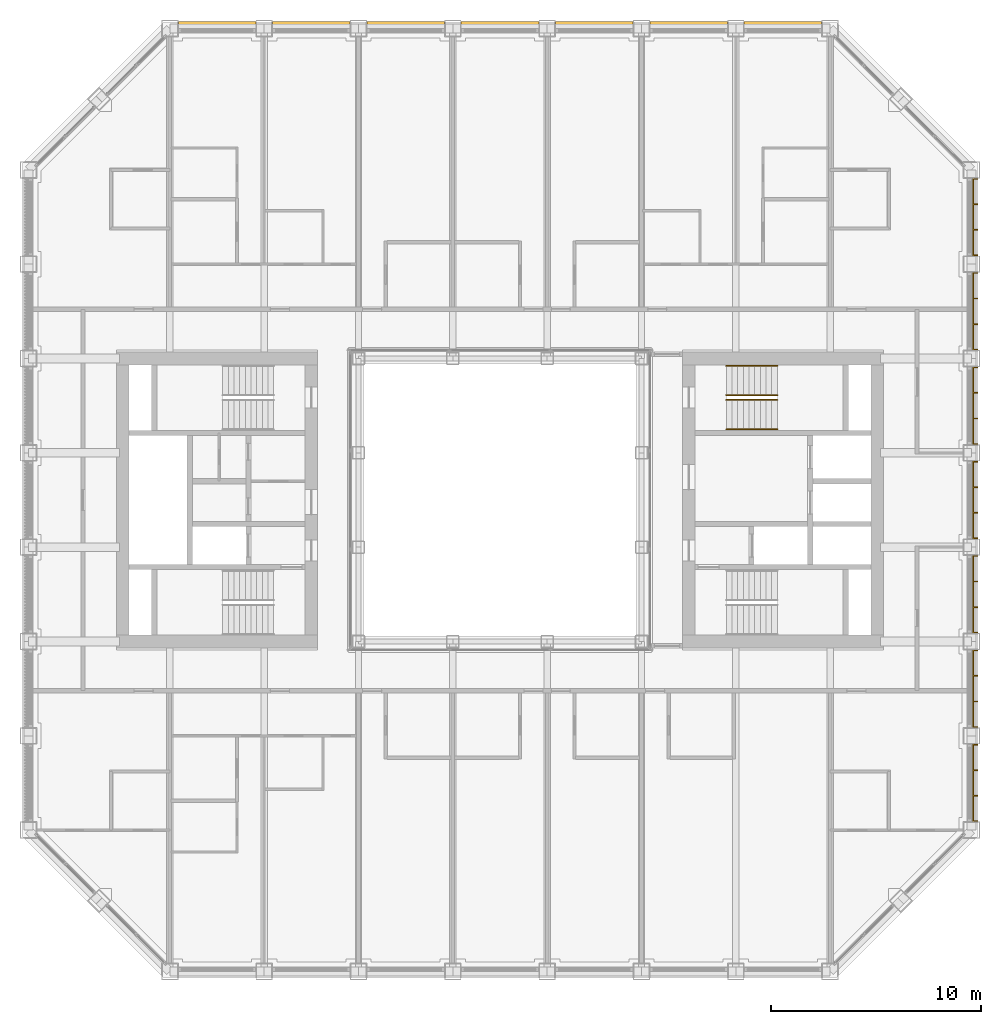
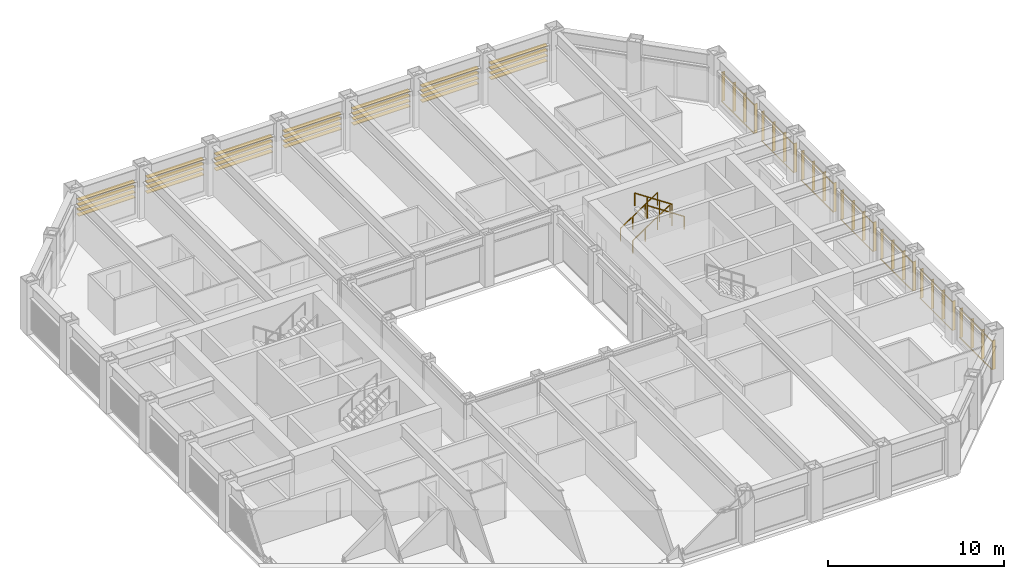
# One storey, part 18 of 18: 4 railings, 2 shading devices.
"""IFC4 building model written with IfcOpenShell, lengths in metres."""

from ifc_helpers import new_model, si_unit, direction, frame, origin, origin_2d, place, context, subcontext, project, spatial, rectangle, circle, extrude, material, type_object, element, save


model = new_model("IFC4")

# Units and contexts
model_context = context("Model", 3, precision=1e-05, world=origin(), true_north=direction((0.0, 1.0)))
body_context = subcontext(model_context, "Body", "Model", "MODEL_VIEW")
ifc_project = project(units=[si_unit("LENGTHUNIT", "METRE"), si_unit("AREAUNIT", "SQUARE_METRE"), si_unit("VOLUMEUNIT", "CUBIC_METRE"), si_unit("PLANEANGLEUNIT", "RADIAN"), si_unit("MASSUNIT", "GRAM", prefix="KILO")], contexts=[model_context])

# Site, building, storey
site_placement = place(None, origin())
site = spatial("IfcSite", under=ifc_project, at=site_placement, CompositionType="ELEMENT")
building_placement = place(site_placement, origin())
building = spatial("IfcBuilding", under=site, at=building_placement, Name="Msasa Ring Tower", CompositionType="ELEMENT")
storey_placement = place(building_placement, frame((0.0, 0.0, 183.199951171875)))
storey = spatial("IfcBuildingStorey", under=building, at=storey_placement, Name="L48", CompositionType="ELEMENT", Elevation=183.199951171875)

# Shading device
ifc_material_1 = material(Name="Extruded terracotta on aluminium carriers", Category="masonry")
shading_device_type_1 = type_object("IfcShadingDeviceType", Name="BS2 TERRACOTTA FIN SCREEN 40x200 AT 1350", PredefinedType="USERDEFINED", material=ifc_material_1)
shading_device_1_placement = place(storey_placement, origin())
element("IfcShadingDevice", 1, at=shading_device_1_placement, inside=storey, type_object=shading_device_type_1, Name="Terracotta fin screen E L48", ObjectType="BAGUETTE", PredefinedType="USERDEFINED", context=body_context, shape_type="SweptSolid", body=[
    extrude(rectangle(XDim=0.06005859375, YDim=0.0400390625, at=origin_2d()), frame((22.580078125, -15.35009765625, 0.330078125), z_axis=(0.0, 1.0, 0.0), x_axis=(0.0, 0.0, 1.0)), (0.0, 0.0, 1.0), 3.699951171875),
    extrude(rectangle(XDim=0.06005859375, YDim=0.0400390625, at=origin_2d()), frame((22.580078125, -15.35009765625, 2.299072265625), z_axis=(0.0, 1.0, 0.0), x_axis=(0.0, 0.0, 1.0)), (0.0, 0.0, 1.0), 3.699951171875),
    extrude(rectangle(XDim=0.0400390625, YDim=0.199951171875, at=origin_2d()), frame((22.695068359375, -15.330078125, 0.300048828125), z_axis=(0.0, 0.0, 1.0), x_axis=(0.0, 1.0, 0.0)), (0.0, 0.0, 1.0), 2.029052734375),
    extrude(rectangle(XDim=0.0400390625, YDim=0.199951171875, at=origin_2d()), frame((22.695068359375, -14.110107421875, 0.300048828125), z_axis=(0.0, 0.0, 1.0), x_axis=(0.0, 1.0, 0.0)), (0.0, 0.0, 1.0), 2.029052734375),
    extrude(rectangle(XDim=0.0400390625, YDim=0.199951171875, at=origin_2d()), frame((22.695068359375, -12.889892578125, 0.300048828125), z_axis=(0.0, 0.0, 1.0), x_axis=(0.0, 1.0, 0.0)), (0.0, 0.0, 1.0), 2.029052734375),
    extrude(rectangle(XDim=0.0400390625, YDim=0.199951171875, at=origin_2d()), frame((22.695068359375, -11.669921875, 0.300048828125), z_axis=(0.0, 0.0, 1.0), x_axis=(0.0, 1.0, 0.0)), (0.0, 0.0, 1.0), 2.029052734375),
    extrude(rectangle(XDim=0.06005859375, YDim=0.0400390625, at=origin_2d()), frame((22.580078125, -10.85009765625, 0.330078125), z_axis=(0.0, 1.0, 0.0), x_axis=(0.0, 0.0, 1.0)), (0.0, 0.0, 1.0), 3.699951171875),
    extrude(rectangle(XDim=0.06005859375, YDim=0.0400390625, at=origin_2d()), frame((22.580078125, -10.85009765625, 2.299072265625), z_axis=(0.0, 1.0, 0.0), x_axis=(0.0, 0.0, 1.0)), (0.0, 0.0, 1.0), 3.699951171875),
    extrude(rectangle(XDim=0.0400390625, YDim=0.199951171875, at=origin_2d()), frame((22.695068359375, -10.830078125, 0.300048828125), z_axis=(0.0, 0.0, 1.0), x_axis=(0.0, 1.0, 0.0)), (0.0, 0.0, 1.0), 2.029052734375),
    extrude(rectangle(XDim=0.0400390625, YDim=0.199951171875, at=origin_2d()), frame((22.695068359375, -9.610107421875, 0.300048828125), z_axis=(0.0, 0.0, 1.0), x_axis=(0.0, 1.0, 0.0)), (0.0, 0.0, 1.0), 2.029052734375),
    extrude(rectangle(XDim=0.0400390625, YDim=0.199951171875, at=origin_2d()), frame((22.695068359375, -8.389892578125, 0.300048828125), z_axis=(0.0, 0.0, 1.0), x_axis=(0.0, 1.0, 0.0)), (0.0, 0.0, 1.0), 2.029052734375),
    extrude(rectangle(XDim=0.0400390625, YDim=0.199951171875, at=origin_2d()), frame((22.695068359375, -7.169921875, 0.300048828125), z_axis=(0.0, 0.0, 1.0), x_axis=(0.0, 1.0, 0.0)), (0.0, 0.0, 1.0), 2.029052734375),
    extrude(rectangle(XDim=0.06005859375, YDim=0.0400390625, at=origin_2d()), frame((22.580078125, -6.35009765625, 0.330078125), z_axis=(0.0, 1.0, 0.0), x_axis=(0.0, 0.0, 1.0)), (0.0, 0.0, 1.0), 3.699951171875),
    extrude(rectangle(XDim=0.06005859375, YDim=0.0400390625, at=origin_2d()), frame((22.580078125, -6.35009765625, 2.299072265625), z_axis=(0.0, 1.0, 0.0), x_axis=(0.0, 0.0, 1.0)), (0.0, 0.0, 1.0), 3.699951171875),
    extrude(rectangle(XDim=0.0400390625, YDim=0.199951171875, at=origin_2d()), frame((22.695068359375, -6.330078125, 0.300048828125), z_axis=(0.0, 0.0, 1.0), x_axis=(0.0, 1.0, 0.0)), (0.0, 0.0, 1.0), 2.029052734375),
    extrude(rectangle(XDim=0.0400390625, YDim=0.199951171875, at=origin_2d()), frame((22.695068359375, -5.110107421875, 0.300048828125), z_axis=(0.0, 0.0, 1.0), x_axis=(0.0, 1.0, 0.0)), (0.0, 0.0, 1.0), 2.029052734375),
    extrude(rectangle(XDim=0.0400390625, YDim=0.199951171875, at=origin_2d()), frame((22.695068359375, -3.889892578125, 0.300048828125), z_axis=(0.0, 0.0, 1.0), x_axis=(0.0, 1.0, 0.0)), (0.0, 0.0, 1.0), 2.029052734375),
    extrude(rectangle(XDim=0.0400390625, YDim=0.199951171875, at=origin_2d()), frame((22.695068359375, -2.669921875, 0.300048828125), z_axis=(0.0, 0.0, 1.0), x_axis=(0.0, 1.0, 0.0)), (0.0, 0.0, 1.0), 2.029052734375),
    extrude(rectangle(XDim=0.06005859375, YDim=0.0400390625, at=origin_2d()), frame((22.580078125, -1.85009765625, 0.330078125), z_axis=(0.0, 1.0, 0.0), x_axis=(0.0, 0.0, 1.0)), (0.0, 0.0, 1.0), 3.699951171875),
    extrude(rectangle(XDim=0.06005859375, YDim=0.0400390625, at=origin_2d()), frame((22.580078125, -1.85009765625, 2.299072265625), z_axis=(0.0, 1.0, 0.0), x_axis=(0.0, 0.0, 1.0)), (0.0, 0.0, 1.0), 3.699951171875),
    extrude(rectangle(XDim=0.0400390625, YDim=0.199951171875, at=origin_2d()), frame((22.695068359375, -1.830078125, 0.300048828125), z_axis=(0.0, 0.0, 1.0), x_axis=(0.0, 1.0, 0.0)), (0.0, 0.0, 1.0), 2.029052734375),
    extrude(rectangle(XDim=0.0400390625, YDim=0.199951171875, at=origin_2d()), frame((22.695068359375, -0.610107421875, 0.300048828125), z_axis=(0.0, 0.0, 1.0), x_axis=(0.0, 1.0, 0.0)), (0.0, 0.0, 1.0), 2.029052734375),
    extrude(rectangle(XDim=0.0400390625, YDim=0.199951171875, at=origin_2d()), frame((22.695068359375, 0.610107421875, 0.300048828125), z_axis=(0.0, 0.0, 1.0), x_axis=(0.0, 1.0, 0.0)), (0.0, 0.0, 1.0), 2.029052734375),
    extrude(rectangle(XDim=0.0400390625, YDim=0.199951171875, at=origin_2d()), frame((22.695068359375, 1.830078125, 0.300048828125), z_axis=(0.0, 0.0, 1.0), x_axis=(0.0, 1.0, 0.0)), (0.0, 0.0, 1.0), 2.029052734375),
    extrude(rectangle(XDim=0.06005859375, YDim=0.0400390625, at=origin_2d()), frame((22.580078125, 2.64990234375, 0.330078125), z_axis=(0.0, 1.0, 0.0), x_axis=(0.0, 0.0, 1.0)), (0.0, 0.0, 1.0), 3.699951171875),
    extrude(rectangle(XDim=0.06005859375, YDim=0.0400390625, at=origin_2d()), frame((22.580078125, 2.64990234375, 2.299072265625), z_axis=(0.0, 1.0, 0.0), x_axis=(0.0, 0.0, 1.0)), (0.0, 0.0, 1.0), 3.699951171875),
    extrude(rectangle(XDim=0.0400390625, YDim=0.199951171875, at=origin_2d()), frame((22.695068359375, 2.669921875, 0.300048828125), z_axis=(0.0, 0.0, 1.0), x_axis=(0.0, 1.0, 0.0)), (0.0, 0.0, 1.0), 2.029052734375),
    extrude(rectangle(XDim=0.0400390625, YDim=0.199951171875, at=origin_2d()), frame((22.695068359375, 3.889892578125, 0.300048828125), z_axis=(0.0, 0.0, 1.0), x_axis=(0.0, 1.0, 0.0)), (0.0, 0.0, 1.0), 2.029052734375),
    extrude(rectangle(XDim=0.0400390625, YDim=0.199951171875, at=origin_2d()), frame((22.695068359375, 5.110107421875, 0.300048828125), z_axis=(0.0, 0.0, 1.0), x_axis=(0.0, 1.0, 0.0)), (0.0, 0.0, 1.0), 2.029052734375),
    extrude(rectangle(XDim=0.0400390625, YDim=0.199951171875, at=origin_2d()), frame((22.695068359375, 6.330078125, 0.300048828125), z_axis=(0.0, 0.0, 1.0), x_axis=(0.0, 1.0, 0.0)), (0.0, 0.0, 1.0), 2.029052734375),
    extrude(rectangle(XDim=0.06005859375, YDim=0.0400390625, at=origin_2d()), frame((22.580078125, 7.14990234375, 0.330078125), z_axis=(0.0, 1.0, 0.0), x_axis=(0.0, 0.0, 1.0)), (0.0, 0.0, 1.0), 3.699951171875),
    extrude(rectangle(XDim=0.06005859375, YDim=0.0400390625, at=origin_2d()), frame((22.580078125, 7.14990234375, 2.299072265625), z_axis=(0.0, 1.0, 0.0), x_axis=(0.0, 0.0, 1.0)), (0.0, 0.0, 1.0), 3.699951171875),
    extrude(rectangle(XDim=0.0400390625, YDim=0.199951171875, at=origin_2d()), frame((22.695068359375, 7.169921875, 0.300048828125), z_axis=(0.0, 0.0, 1.0), x_axis=(0.0, 1.0, 0.0)), (0.0, 0.0, 1.0), 2.029052734375),
    extrude(rectangle(XDim=0.0400390625, YDim=0.199951171875, at=origin_2d()), frame((22.695068359375, 8.389892578125, 0.300048828125), z_axis=(0.0, 0.0, 1.0), x_axis=(0.0, 1.0, 0.0)), (0.0, 0.0, 1.0), 2.029052734375),
    extrude(rectangle(XDim=0.0400390625, YDim=0.199951171875, at=origin_2d()), frame((22.695068359375, 9.610107421875, 0.300048828125), z_axis=(0.0, 0.0, 1.0), x_axis=(0.0, 1.0, 0.0)), (0.0, 0.0, 1.0), 2.029052734375),
    extrude(rectangle(XDim=0.0400390625, YDim=0.199951171875, at=origin_2d()), frame((22.695068359375, 10.830078125, 0.300048828125), z_axis=(0.0, 0.0, 1.0), x_axis=(0.0, 1.0, 0.0)), (0.0, 0.0, 1.0), 2.029052734375),
    extrude(rectangle(XDim=0.06005859375, YDim=0.0400390625, at=origin_2d()), frame((22.580078125, 11.64990234375, 0.330078125), z_axis=(0.0, 1.0, 0.0), x_axis=(0.0, 0.0, 1.0)), (0.0, 0.0, 1.0), 3.699951171875),
    extrude(rectangle(XDim=0.06005859375, YDim=0.0400390625, at=origin_2d()), frame((22.580078125, 11.64990234375, 2.299072265625), z_axis=(0.0, 1.0, 0.0), x_axis=(0.0, 0.0, 1.0)), (0.0, 0.0, 1.0), 3.699951171875),
    extrude(rectangle(XDim=0.0400390625, YDim=0.199951171875, at=origin_2d()), frame((22.695068359375, 11.669921875, 0.300048828125), z_axis=(0.0, 0.0, 1.0), x_axis=(0.0, 1.0, 0.0)), (0.0, 0.0, 1.0), 2.029052734375),
    extrude(rectangle(XDim=0.0400390625, YDim=0.199951171875, at=origin_2d()), frame((22.695068359375, 12.889892578125, 0.300048828125), z_axis=(0.0, 0.0, 1.0), x_axis=(0.0, 1.0, 0.0)), (0.0, 0.0, 1.0), 2.029052734375),
    extrude(rectangle(XDim=0.0400390625, YDim=0.199951171875, at=origin_2d()), frame((22.695068359375, 14.110107421875, 0.300048828125), z_axis=(0.0, 0.0, 1.0), x_axis=(0.0, 1.0, 0.0)), (0.0, 0.0, 1.0), 2.029052734375),
    extrude(rectangle(XDim=0.0400390625, YDim=0.199951171875, at=origin_2d()), frame((22.695068359375, 15.330078125, 0.300048828125), z_axis=(0.0, 0.0, 1.0), x_axis=(0.0, 1.0, 0.0)), (0.0, 0.0, 1.0), 2.029052734375),
])

# Railings
ifc_material_2 = material(Name="Stainless steel", Category="steel")
railing_type = type_object("IfcRailingType", Name="HR1 HANDRAIL 900", PredefinedType="HANDRAIL", material=ifc_material_2)
for number, where, name in (
    (2, (10.800048828125, 5.0, 0.179931640625), "Handrail stair SEB L48 1"),
    (3, (10.800048828125, 6.39990234375, 0.179931640625), "Handrail stair SEB L48 2"),
):
    element("IfcRailing", number, at=place(storey_placement, frame(where)), inside=storey, type_object=railing_type, Name=name, PredefinedType="HANDRAIL", context=body_context, shape_type="SweptSolid", body=[
        extrude(circle(Radius=0.02392578125, at=origin_2d()), frame((0.0, 0.0, 0.8759765625), z_axis=(0.832024571796, 0.0, 0.554738778101), x_axis=(0.0, 1.0, 0.0)), (0.0, 0.0, 1.0), 2.92041015625),
        extrude(circle(Radius=0.02099609375, at=origin_2d()), origin(), (0.0, 0.0, 1.0), 0.851806640625),
        extrude(circle(Radius=0.02099609375, at=origin_2d()), frame((0.81005859375, 0.0, 0.5400390625)), (0.0, 0.0, 1.0), 0.851806640625),
        extrude(circle(Radius=0.02099609375, at=origin_2d()), frame((1.619873046875, 0.0, 1.080078125)), (0.0, 0.0, 1.0), 0.851806640625),
        extrude(circle(Radius=0.02099609375, at=origin_2d()), frame((2.429931640625, 0.0, 1.6201171875)), (0.0, 0.0, 1.0), 0.851806640625),
    ])
for number, where, name in (
    (4, (13.22998046875, 3.375, 1.97998046875), "Handrail stair SEB L48 3"),
    (5, (13.22998046875, 4.77490234375, 1.97998046875), "Handrail stair SEB L48 4"),
):
    element("IfcRailing", number, at=place(storey_placement, frame(where)), inside=storey, type_object=railing_type, Name=name, PredefinedType="HANDRAIL", context=body_context, shape_type="SweptSolid", body=[
        extrude(circle(Radius=0.02392578125, at=origin_2d()), frame((0.0, 0.0, 0.8759765625), z_axis=(-0.832024571796, 0.0, 0.554738778101), x_axis=(0.0, -1.0, 0.0)), (0.0, 0.0, 1.0), 2.92041015625),
        extrude(circle(Radius=0.02099609375, at=origin_2d()), origin(), (0.0, 0.0, 1.0), 0.851806640625),
        extrude(circle(Radius=0.02099609375, at=origin_2d()), frame((-0.81005859375, 0.0, 0.5400390625)), (0.0, 0.0, 1.0), 0.851806640625),
        extrude(circle(Radius=0.02099609375, at=origin_2d()), frame((-1.619873046875, 0.0, 1.080078125)), (0.0, 0.0, 1.0), 0.851806640625),
        extrude(circle(Radius=0.02099609375, at=origin_2d()), frame((-2.429931640625, 0.0, 1.6201171875)), (0.0, 0.0, 1.0), 0.851806640625),
    ])

# Shading device
ifc_material_3 = material(Name="Extruded terracotta blades", Category="masonry")
shading_device_type_2 = type_object("IfcShadingDeviceType", Name="SS1 TERRACOTTA SUNSHADE 4 BLADES 300x40 AT 350", PredefinedType="USERDEFINED", material=ifc_material_3)
shading_device_2_placement = place(storey_placement, origin())
element("IfcShadingDevice", 6, at=shading_device_2_placement, inside=storey, type_object=shading_device_type_2, Name="Terracotta sunshade N L48", ObjectType="SUNSHADE", PredefinedType="USERDEFINED", context=body_context, shape_type="SweptSolid", body=[
    extrude(rectangle(XDim=0.0400390625, YDim=0.300048828125, at=origin_2d()), frame((-15.35009765625, 22.679931640625, 2.30908203125), z_axis=(1.0, 0.0, 0.0), x_axis=(0.0, 0.0, 1.0)), (0.0, 0.0, 1.0), 3.699951171875),
    extrude(rectangle(XDim=0.0400390625, YDim=0.300048828125, at=origin_2d()), frame((-15.35009765625, 22.679931640625, 1.958984375), z_axis=(1.0, 0.0, 0.0), x_axis=(0.0, 0.0, 1.0)), (0.0, 0.0, 1.0), 3.699951171875),
    extrude(rectangle(XDim=0.0400390625, YDim=0.300048828125, at=origin_2d()), frame((-15.35009765625, 22.679931640625, 1.609130859375), z_axis=(1.0, 0.0, 0.0), x_axis=(0.0, 0.0, 1.0)), (0.0, 0.0, 1.0), 3.699951171875),
    extrude(rectangle(XDim=0.0400390625, YDim=0.300048828125, at=origin_2d()), frame((-15.35009765625, 22.679931640625, 1.259033203125), z_axis=(1.0, 0.0, 0.0), x_axis=(0.0, 0.0, 1.0)), (0.0, 0.0, 1.0), 3.699951171875),
    extrude(rectangle(XDim=0.0400390625, YDim=0.300048828125, at=origin_2d()), frame((-10.85009765625, 22.679931640625, 2.30908203125), z_axis=(1.0, 0.0, 0.0), x_axis=(0.0, 0.0, 1.0)), (0.0, 0.0, 1.0), 3.699951171875),
    extrude(rectangle(XDim=0.0400390625, YDim=0.300048828125, at=origin_2d()), frame((-10.85009765625, 22.679931640625, 1.958984375), z_axis=(1.0, 0.0, 0.0), x_axis=(0.0, 0.0, 1.0)), (0.0, 0.0, 1.0), 3.699951171875),
    extrude(rectangle(XDim=0.0400390625, YDim=0.300048828125, at=origin_2d()), frame((-10.85009765625, 22.679931640625, 1.609130859375), z_axis=(1.0, 0.0, 0.0), x_axis=(0.0, 0.0, 1.0)), (0.0, 0.0, 1.0), 3.699951171875),
    extrude(rectangle(XDim=0.0400390625, YDim=0.300048828125, at=origin_2d()), frame((-10.85009765625, 22.679931640625, 1.259033203125), z_axis=(1.0, 0.0, 0.0), x_axis=(0.0, 0.0, 1.0)), (0.0, 0.0, 1.0), 3.699951171875),
    extrude(rectangle(XDim=0.0400390625, YDim=0.300048828125, at=origin_2d()), frame((-6.35009765625, 22.679931640625, 2.30908203125), z_axis=(1.0, 0.0, 0.0), x_axis=(0.0, 0.0, 1.0)), (0.0, 0.0, 1.0), 3.699951171875),
    extrude(rectangle(XDim=0.0400390625, YDim=0.300048828125, at=origin_2d()), frame((-6.35009765625, 22.679931640625, 1.958984375), z_axis=(1.0, 0.0, 0.0), x_axis=(0.0, 0.0, 1.0)), (0.0, 0.0, 1.0), 3.699951171875),
    extrude(rectangle(XDim=0.0400390625, YDim=0.300048828125, at=origin_2d()), frame((-6.35009765625, 22.679931640625, 1.609130859375), z_axis=(1.0, 0.0, 0.0), x_axis=(0.0, 0.0, 1.0)), (0.0, 0.0, 1.0), 3.699951171875),
    extrude(rectangle(XDim=0.0400390625, YDim=0.300048828125, at=origin_2d()), frame((-6.35009765625, 22.679931640625, 1.259033203125), z_axis=(1.0, 0.0, 0.0), x_axis=(0.0, 0.0, 1.0)), (0.0, 0.0, 1.0), 3.699951171875),
    extrude(rectangle(XDim=0.0400390625, YDim=0.300048828125, at=origin_2d()), frame((-1.85009765625, 22.679931640625, 2.30908203125), z_axis=(1.0, 0.0, 0.0), x_axis=(0.0, 0.0, 1.0)), (0.0, 0.0, 1.0), 3.699951171875),
    extrude(rectangle(XDim=0.0400390625, YDim=0.300048828125, at=origin_2d()), frame((-1.85009765625, 22.679931640625, 1.958984375), z_axis=(1.0, 0.0, 0.0), x_axis=(0.0, 0.0, 1.0)), (0.0, 0.0, 1.0), 3.699951171875),
    extrude(rectangle(XDim=0.0400390625, YDim=0.300048828125, at=origin_2d()), frame((-1.85009765625, 22.679931640625, 1.609130859375), z_axis=(1.0, 0.0, 0.0), x_axis=(0.0, 0.0, 1.0)), (0.0, 0.0, 1.0), 3.699951171875),
    extrude(rectangle(XDim=0.0400390625, YDim=0.300048828125, at=origin_2d()), frame((-1.85009765625, 22.679931640625, 1.259033203125), z_axis=(1.0, 0.0, 0.0), x_axis=(0.0, 0.0, 1.0)), (0.0, 0.0, 1.0), 3.699951171875),
    extrude(rectangle(XDim=0.0400390625, YDim=0.300048828125, at=origin_2d()), frame((2.64990234375, 22.679931640625, 2.30908203125), z_axis=(1.0, 0.0, 0.0), x_axis=(0.0, 0.0, 1.0)), (0.0, 0.0, 1.0), 3.699951171875),
    extrude(rectangle(XDim=0.0400390625, YDim=0.300048828125, at=origin_2d()), frame((2.64990234375, 22.679931640625, 1.958984375), z_axis=(1.0, 0.0, 0.0), x_axis=(0.0, 0.0, 1.0)), (0.0, 0.0, 1.0), 3.699951171875),
    extrude(rectangle(XDim=0.0400390625, YDim=0.300048828125, at=origin_2d()), frame((2.64990234375, 22.679931640625, 1.609130859375), z_axis=(1.0, 0.0, 0.0), x_axis=(0.0, 0.0, 1.0)), (0.0, 0.0, 1.0), 3.699951171875),
    extrude(rectangle(XDim=0.0400390625, YDim=0.300048828125, at=origin_2d()), frame((2.64990234375, 22.679931640625, 1.259033203125), z_axis=(1.0, 0.0, 0.0), x_axis=(0.0, 0.0, 1.0)), (0.0, 0.0, 1.0), 3.699951171875),
    extrude(rectangle(XDim=0.0400390625, YDim=0.300048828125, at=origin_2d()), frame((7.14990234375, 22.679931640625, 2.30908203125), z_axis=(1.0, 0.0, 0.0), x_axis=(0.0, 0.0, 1.0)), (0.0, 0.0, 1.0), 3.699951171875),
    extrude(rectangle(XDim=0.0400390625, YDim=0.300048828125, at=origin_2d()), frame((7.14990234375, 22.679931640625, 1.958984375), z_axis=(1.0, 0.0, 0.0), x_axis=(0.0, 0.0, 1.0)), (0.0, 0.0, 1.0), 3.699951171875),
    extrude(rectangle(XDim=0.0400390625, YDim=0.300048828125, at=origin_2d()), frame((7.14990234375, 22.679931640625, 1.609130859375), z_axis=(1.0, 0.0, 0.0), x_axis=(0.0, 0.0, 1.0)), (0.0, 0.0, 1.0), 3.699951171875),
    extrude(rectangle(XDim=0.0400390625, YDim=0.300048828125, at=origin_2d()), frame((7.14990234375, 22.679931640625, 1.259033203125), z_axis=(1.0, 0.0, 0.0), x_axis=(0.0, 0.0, 1.0)), (0.0, 0.0, 1.0), 3.699951171875),
    extrude(rectangle(XDim=0.0400390625, YDim=0.300048828125, at=origin_2d()), frame((11.64990234375, 22.679931640625, 2.30908203125), z_axis=(1.0, 0.0, 0.0), x_axis=(0.0, 0.0, 1.0)), (0.0, 0.0, 1.0), 3.699951171875),
    extrude(rectangle(XDim=0.0400390625, YDim=0.300048828125, at=origin_2d()), frame((11.64990234375, 22.679931640625, 1.958984375), z_axis=(1.0, 0.0, 0.0), x_axis=(0.0, 0.0, 1.0)), (0.0, 0.0, 1.0), 3.699951171875),
    extrude(rectangle(XDim=0.0400390625, YDim=0.300048828125, at=origin_2d()), frame((11.64990234375, 22.679931640625, 1.609130859375), z_axis=(1.0, 0.0, 0.0), x_axis=(0.0, 0.0, 1.0)), (0.0, 0.0, 1.0), 3.699951171875),
    extrude(rectangle(XDim=0.0400390625, YDim=0.300048828125, at=origin_2d()), frame((11.64990234375, 22.679931640625, 1.259033203125), z_axis=(1.0, 0.0, 0.0), x_axis=(0.0, 0.0, 1.0)), (0.0, 0.0, 1.0), 3.699951171875),
])

save(model, "model.ifc")
